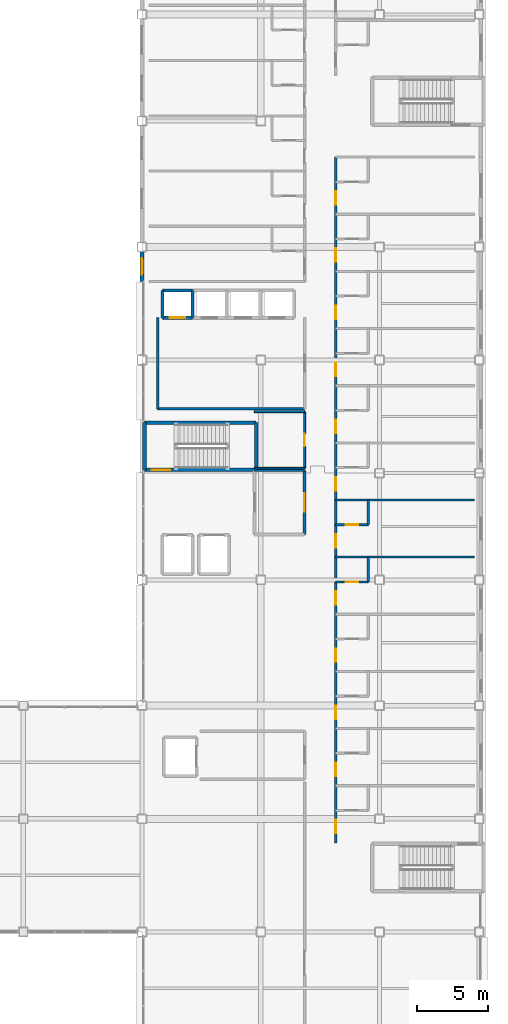
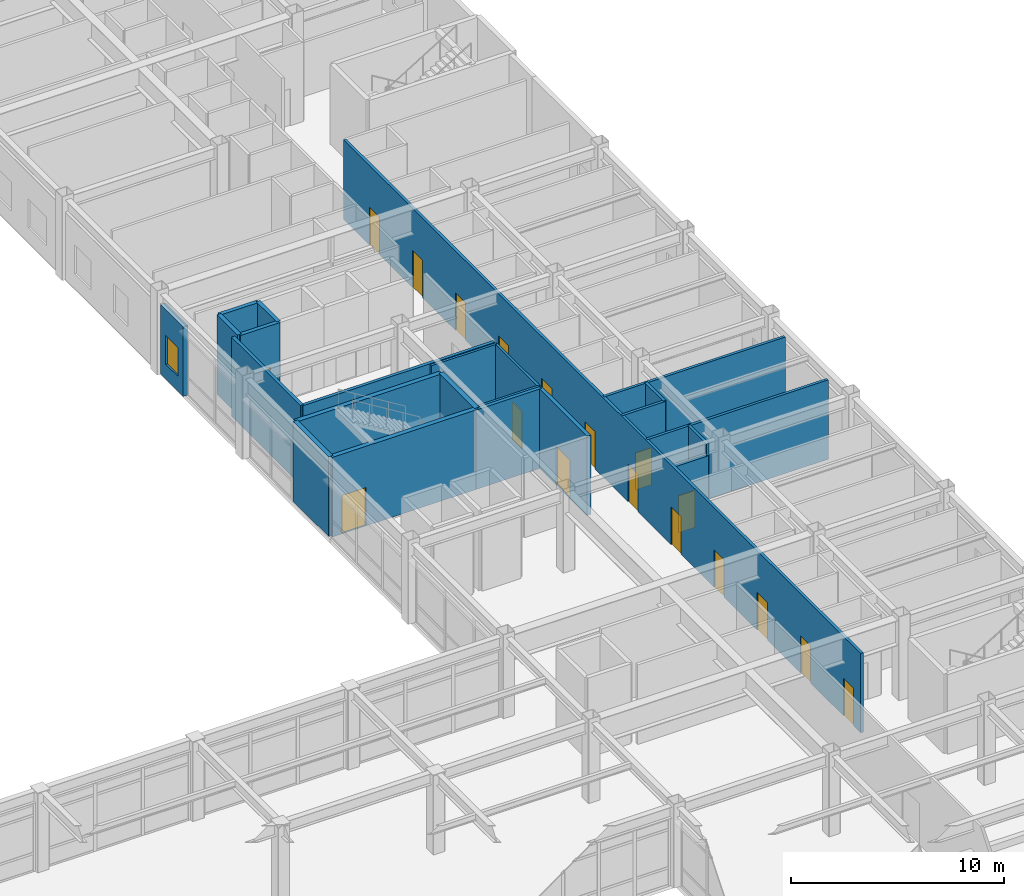
# One storey, part 77 of 93: 23 walls, 18 doors, 1 window, 19 openings.
"""IFC4 building model written with IfcOpenShell, lengths in metres."""

from ifc_helpers import new_model, si_unit, direction, frame, frame_2d, origin, place, context, subcontext, project, spatial, rectangle, extrude, material, layer, layer_set, type_object, element, fill, save


model = new_model("IFC4")

# Units and contexts
model_context = context("Model", 3, precision=1e-05, world=origin(), true_north=direction((0.0, 1.0)))
body_context = subcontext(model_context, "Body", "Model", "MODEL_VIEW")
ifc_project = project(units=[si_unit("LENGTHUNIT", "METRE"), si_unit("AREAUNIT", "SQUARE_METRE"), si_unit("VOLUMEUNIT", "CUBIC_METRE"), si_unit("PLANEANGLEUNIT", "RADIAN"), si_unit("MASSUNIT", "GRAM", prefix="KILO")], contexts=[model_context])

# Site, building, storey
site_placement = place(None, origin())
site = spatial("IfcSite", under=ifc_project, at=site_placement, CompositionType="ELEMENT")
building_placement = place(site_placement, origin())
building = spatial("IfcBuilding", under=site, at=building_placement, Name="Kazehara Bluff Congress Hotel", CompositionType="ELEMENT")
storey_placement = place(building_placement, frame((0.0, 0.0, 15.0)))
storey = spatial("IfcBuildingStorey", under=building, at=storey_placement, Name="L03", CompositionType="ELEMENT", Elevation=15.0)

# Walls
ifc_material_1 = material(Name="Concrete C40/50", Category="concrete")
ifc_layer_1 = layer(ifc_material_1, 0.25)
ifc_layer_set_1 = layer_set([ifc_layer_1], Name="Concrete C40/50")
wall_type_1 = type_object("IfcWallType", Name="TP-CW-RC", PredefinedType="SHEAR", material=ifc_layer_set_1)
for number, where, z_axis, x_axis, name in (
    (1, (143.875, 48.675048828125, 0.0), (0.0, 0.0, 1.0), (0.0, 1.0, 0.0), "L03 ST-11 core wall near"),
    (2, (151.77490234375, 52.02490234375, 0.0), (0.0, 0.0, 1.0), (0.0, -1.0, 0.0), "L03 ST-11 core wall far"),
):
    element("IfcWall", number, at=place(storey_placement, frame(where, z_axis=z_axis, x_axis=x_axis)), inside=storey, type_object=wall_type_1, Name=name, PredefinedType="SHEAR", context=body_context, shape_type="SweptSolid", body=[
        extrude(rectangle(XDim=3.349853515625, YDim=0.25, at=frame_2d((1.6748046875, 0.0))), origin(), (0.0, 0.0, 1.0), 4.56005859375),
    ])

# Wall, opening, door
wall_1_placement = place(storey_placement, frame((151.77490234375, 48.675048828125, 0.0), z_axis=(0.0, 0.0, 1.0), x_axis=(-1.0, 0.0, 0.0)))
wall_1 = element("IfcWall", 3, at=wall_1_placement, inside=storey, type_object=wall_type_1, Name="L03 ST-11 core wall left", PredefinedType="SHEAR", context=body_context, shape_type="SweptSolid", body=[
    extrude(rectangle(XDim=7.89990234375, YDim=0.25, at=frame_2d((3.949951171875, 0.0))), origin(), (0.0, 0.0, 1.0), 4.56005859375),
])
opening_1_placement = place(wall_1_placement, frame((6.074951171875, 0.0, 0.0)))
opening_1 = element("IfcOpeningElement", 4, at=opening_1_placement, cuts=wall_1, Name="Opening FD-01", PredefinedType="OPENING", context=body_context, shape_type="SweptSolid", body=[
    extrude(rectangle(XDim=1.300048828125, YDim=2.199951171875, at=frame_2d((0.64990234375, 1.10009765625))), frame((0.0, 0.135009765625, 0.0), z_axis=(0.0, -1.0, 0.0), x_axis=(1.0, 0.0, 0.0)), (0.0, 0.0, 1.0), 0.27001953125),
])
ifc_material_2 = material(Name="Fire-rated painted steel leaf", Category="steel")
door_type_1 = type_object("IfcDoorType", Name="TP-FD-01", OperationType="NOTDEFINED", PredefinedType="DOOR", material=ifc_material_2)
door_1_placement = place(opening_1_placement, origin())
door_1 = element("IfcDoor", 5, at=door_1_placement, inside=storey, type_object=door_type_1, Name="L03 ST-11 fire stair door", OperationType="SINGLE_SWING_RIGHT", OverallHeight=2.199951171875, OverallWidth=1.300048828125, PredefinedType="DOOR", context=body_context, shape_type="SweptSolid", body=[
    extrude(rectangle(XDim=1.300048828125, YDim=2.199951171875, at=frame_2d((0.64990234375, 1.10009765625))), frame((0.0, 0.02490234375, 0.0), z_axis=(0.0, -1.0, 0.0), x_axis=(1.0, 0.0, 0.0)), (0.0, 0.0, 1.0), 0.050048828125),
])
fill(opening_1, door_1)

# Wall
wall_2_placement = place(storey_placement, frame((143.875, 52.02490234375, 0.0), z_axis=(0.0, 0.0, 1.0), x_axis=(1.0, 0.0, 0.0)))
element("IfcWall", 6, at=wall_2_placement, inside=storey, type_object=wall_type_1, Name="L03 ST-11 core wall right", PredefinedType="SHEAR", context=body_context, shape_type="SweptSolid", body=[
    extrude(rectangle(XDim=7.89990234375, YDim=0.25, at=frame_2d((3.949951171875, 0.0))), origin(), (0.0, 0.0, 1.0), 4.56005859375),
])

# Wall, opening, window
ifc_material_3 = material(Name="Precast concrete C40/50", Category="concrete")
ifc_layer_2 = layer(ifc_material_3, 0.260009765625)
ifc_layer_set_2 = layer_set([ifc_layer_2], Name="Precast concrete C40/50")
wall_type_2 = type_object("IfcWallType", Name="TP-EW-260", PredefinedType="SOLIDWALL", material=ifc_layer_set_2)
wall_3_placement = place(storey_placement, frame((143.699951171875, 62.0, 0.0), z_axis=(0.0, 0.0, 1.0), x_axis=(0.0, 1.0, 0.0)))
wall_3 = element("IfcWall", 7, at=wall_3_placement, inside=storey, type_object=wall_type_2, Name="L03 hotel facade panel 17", PredefinedType="SOLIDWALL", context=body_context, shape_type="SweptSolid", body=[
    extrude(rectangle(XDim=2.125, YDim=0.260009765625, at=frame_2d((1.0625, 0.0))), origin(), (0.0, 0.0, 1.0), 3.985107421875),
])
opening_2_placement = place(wall_3_placement, frame((0.489990234375, 0.0, 0.85009765625)))
opening_2 = element("IfcOpeningElement", 8, at=opening_2_placement, cuts=wall_3, Name="Opening WN-03", PredefinedType="OPENING", context=body_context, shape_type="SweptSolid", body=[
    extrude(rectangle(XDim=1.14990234375, YDim=1.64990234375, at=frame_2d((0.574951171875, 0.824951171875))), frame((0.0, 0.139892578125, 0.0), z_axis=(0.0, -1.0, 0.0), x_axis=(1.0, 0.0, 0.0)), (0.0, 0.0, 1.0), 0.280029296875),
])
ifc_material_4 = material(Name="Insulated low-E double glazing", Category="glass")
window_type = type_object("IfcWindowType", Name="TP-WN-03", PartitioningType="SINGLE_PANEL", PredefinedType="WINDOW", material=ifc_material_4)
window_placement = place(opening_2_placement, origin())
window = element("IfcWindow", 9, at=window_placement, inside=storey, type_object=window_type, Name="L03 guestroom window WN-03 18", OverallHeight=1.64990234375, OverallWidth=1.14990234375, PartitioningType="SINGLE_PANEL", PredefinedType="WINDOW", context=body_context, shape_type="SweptSolid", body=[
    extrude(rectangle(XDim=1.14990234375, YDim=1.64990234375, at=frame_2d((0.574951171875, 0.824951171875))), frame((0.0, 0.030029296875, 0.0), z_axis=(0.0, -1.0, 0.0), x_axis=(1.0, 0.0, 0.0)), (0.0, 0.0, 1.0), 0.06005859375),
])
fill(opening_2, window)

# Wall
ifc_material_5 = material(Name="Concrete C40/50", Category="concrete")
ifc_layer_3 = layer(ifc_material_5, 0.199951171875)
ifc_layer_set_3 = layer_set([ifc_layer_3], Name="Concrete C40/50")
wall_type_3 = type_object("IfcWallType", Name="TP-FW-RC", PredefinedType="SOLIDWALL", material=ifc_layer_set_3)
wall_4_placement = place(storey_placement, frame((151.64990234375, 48.64990234375, 0.0), z_axis=(0.0, 0.0, 1.0), x_axis=(1.0, 0.0, 0.0)))
element("IfcWall", 10, at=wall_4_placement, inside=storey, type_object=wall_type_3, Name="L03 partition FW-RC 266", PredefinedType="SOLIDWALL", context=body_context, shape_type="SweptSolid", body=[
    extrude(rectangle(XDim=3.550048828125, YDim=0.199951171875, at=frame_2d((1.77490234375, 0.0))), origin(), (0.0, 0.0, 1.0), 4.544921875),
])

# Wall, opening, door
wall_5_placement = place(storey_placement, frame((155.199951171875, 44.10009765625, 0.0), z_axis=(0.0, 0.0, 1.0), x_axis=(0.0, 1.0, 0.0)))
wall_5 = element("IfcWall", 11, at=wall_5_placement, inside=storey, type_object=wall_type_3, Name="L03 partition FW-RC 345", PredefinedType="SOLIDWALL", context=body_context, shape_type="SweptSolid", body=[
    extrude(rectangle(XDim=4.5498046875, YDim=0.199951171875, at=frame_2d((2.27490234375, 0.0))), origin(), (0.0, 0.0, 1.0), 4.544921875),
])
opening_3_placement = place(wall_5_placement, frame((1.625, 0.0, 0.0)))
opening_3 = element("IfcOpeningElement", 12, at=opening_3_placement, cuts=wall_5, Name="Opening FD-01", PredefinedType="OPENING", context=body_context, shape_type="SweptSolid", body=[
    extrude(rectangle(XDim=1.300048828125, YDim=2.199951171875, at=frame_2d((0.64990234375, 1.10009765625))), frame((0.0, 0.10986328125, 0.0), z_axis=(0.0, -1.0, 0.0), x_axis=(1.0, 0.0, 0.0)), (0.0, 0.0, 1.0), 0.219970703125),
])
door_2_placement = place(opening_3_placement, origin())
door_2 = element("IfcDoor", 13, at=door_2_placement, inside=storey, type_object=door_type_1, Name="L03 Smoke Vestibule Lobby door", OperationType="SINGLE_SWING_LEFT", OverallHeight=2.199951171875, OverallWidth=1.300048828125, PredefinedType="DOOR", context=body_context, shape_type="SweptSolid", body=[
    extrude(rectangle(XDim=1.300048828125, YDim=2.199951171875, at=frame_2d((0.64990234375, 1.10009765625))), frame((0.0, 0.02490234375, 0.0), z_axis=(0.0, -1.0, 0.0), x_axis=(1.0, 0.0, 0.0)), (0.0, 0.0, 1.0), 0.050048828125),
])
fill(opening_3, door_2)

# Walls
ifc_material_6 = material(Name="Fire-rated gypsum board stud partition")
ifc_layer_4 = layer(ifc_material_6, 0.1298828125)
ifc_layer_set_4 = layer_set([ifc_layer_4], Name="Fire-rated gypsum board stud partition")
wall_type_4 = type_object("IfcWallType", Name="TP-PT-130", PredefinedType="PARTITIONING", material=ifc_layer_set_4)
for number, where, z_axis, x_axis, name in (
    (14, (151.64990234375, 48.800048828125, 0.0), (0.0, 0.0, 1.0), (1.0, 0.0, 0.0), "L03 partition PT-130 267"),
    (15, (151.64990234375, 52.800048828125, 0.0), (0.0, 0.0, 1.0), (1.0, 0.0, 0.0), "L03 partition PT-130 270"),
):
    element("IfcWall", number, at=place(storey_placement, frame(where, z_axis=z_axis, x_axis=x_axis)), inside=storey, type_object=wall_type_4, Name=name, PredefinedType="PARTITIONING", context=body_context, shape_type="SweptSolid", body=[
        extrude(rectangle(XDim=3.550048828125, YDim=0.1298828125, at=frame_2d((1.77490234375, 0.0))), origin(), (0.0, 0.0, 1.0), 4.544921875),
    ])

# Wall, opening, door
wall_6_placement = place(storey_placement, frame((155.199951171875, 48.800048828125, 0.0), z_axis=(0.0, 0.0, 1.0), x_axis=(0.0, 1.0, 0.0)))
wall_6 = element("IfcWall", 16, at=wall_6_placement, inside=storey, type_object=wall_type_4, Name="L03 partition PT-130 346", PredefinedType="PARTITIONING", context=body_context, shape_type="SweptSolid", body=[
    extrude(rectangle(XDim=4.0, YDim=0.1298828125, at=frame_2d((2.0, 0.0))), origin(), (0.0, 0.0, 1.0), 4.544921875),
])
opening_4_placement = place(wall_6_placement, frame((1.550048828125, 0.0, 0.0)))
opening_4 = element("IfcOpeningElement", 17, at=opening_4_placement, cuts=wall_6, Name="Opening ID-01", PredefinedType="OPENING", context=body_context, shape_type="SweptSolid", body=[
    extrude(rectangle(XDim=0.89990234375, YDim=2.14990234375, at=frame_2d((0.449951171875, 1.074951171875))), frame((0.0, 0.074951171875, 0.0), z_axis=(0.0, -1.0, 0.0), x_axis=(1.0, 0.0, 0.0)), (0.0, 0.0, 1.0), 0.14990234375),
])
ifc_material_7 = material(Name="Architectural oak veneer leaf")
door_type_2 = type_object("IfcDoorType", Name="TP-ID-01", OperationType="NOTDEFINED", PredefinedType="DOOR", material=ifc_material_7)
door_3_placement = place(opening_4_placement, origin())
door_3 = element("IfcDoor", 18, at=door_3_placement, inside=storey, type_object=door_type_2, Name="L03 L03 Housekeeping and Linen Room door", OperationType="SINGLE_SWING_LEFT", OverallHeight=2.14990234375, OverallWidth=0.89990234375, PredefinedType="DOOR", context=body_context, shape_type="SweptSolid", body=[
    extrude(rectangle(XDim=0.89990234375, YDim=2.14990234375, at=frame_2d((0.449951171875, 1.074951171875))), frame((0.0, 0.02490234375, 0.0), z_axis=(0.0, -1.0, 0.0), x_axis=(1.0, 0.0, 0.0)), (0.0, 0.0, 1.0), 0.050048828125),
])
fill(opening_4, door_3)

ifc_material_8 = material(Name="Fire-rated gypsum board stud partition")
ifc_layer_5 = layer(ifc_material_8, 0.14990234375)
ifc_layer_set_5 = layer_set([ifc_layer_5], Name="Fire-rated gypsum board stud partition")
wall_type_5 = type_object("IfcWallType", Name="TP-PT-150", PredefinedType="PARTITIONING", material=ifc_layer_set_5)
wall_7_placement = place(storey_placement, frame((157.39990234375, 40.760009765625, 0.0), z_axis=(0.0, 0.0, 1.0), x_axis=(1.0, 0.0, 0.0)))
wall_7 = element("IfcWall", 19, at=wall_7_placement, inside=storey, type_object=wall_type_5, Name="L03 partition PT-150 260", PredefinedType="PARTITIONING", context=body_context, shape_type="SweptSolid", body=[
    extrude(rectangle(XDim=2.300048828125, YDim=0.14990234375, at=frame_2d((1.14990234375, 0.0))), origin(), (0.0, 0.0, 1.0), 3.885009765625),
])
opening_5_placement = place(wall_7_placement, frame((0.7099609375, 0.0, 0.0)))
opening_5 = element("IfcOpeningElement", 20, at=opening_5_placement, cuts=wall_7, Name="Opening BD-02", PredefinedType="OPENING", context=body_context, shape_type="SweptSolid", body=[
    extrude(rectangle(XDim=0.8798828125, YDim=2.1201171875, at=frame_2d((0.43994140625, 1.06005859375))), frame((0.0, 0.0849609375, 0.0), z_axis=(0.0, -1.0, 0.0), x_axis=(1.0, 0.0, 0.0)), (0.0, 0.0, 1.0), 0.169921875),
])
ifc_material_9 = material(Name="Architectural oak veneer leaf")
door_type_3 = type_object("IfcDoorType", Name="TP-BD-02", OperationType="NOTDEFINED", PredefinedType="DOOR", material=ifc_material_9)
door_4_placement = place(opening_5_placement, origin())
door_4 = element("IfcDoor", 21, at=door_4_placement, inside=storey, type_object=door_type_3, Name="L03 En-suite Bathroom 18 door", OperationType="SINGLE_SWING_LEFT", OverallHeight=2.1201171875, OverallWidth=0.8798828125, PredefinedType="DOOR", context=body_context, shape_type="SweptSolid", body=[
    extrude(rectangle(XDim=0.8798828125, YDim=2.1201171875, at=frame_2d((0.43994140625, 1.06005859375))), frame((0.0, 0.02490234375, 0.0), z_axis=(0.0, -1.0, 0.0), x_axis=(1.0, 0.0, 0.0)), (0.0, 0.0, 1.0), 0.050048828125),
])
fill(opening_5, door_4)

# Wall
wall_8_placement = place(storey_placement, frame((157.39990234375, 42.510009765625, 0.0), z_axis=(0.0, 0.0, 1.0), x_axis=(1.0, 0.0, 0.0)))
element("IfcWall", 22, at=wall_8_placement, inside=storey, type_object=wall_type_5, Name="L03 partition PT-150 261", PredefinedType="PARTITIONING", context=body_context, shape_type="SweptSolid", body=[
    extrude(rectangle(XDim=9.800048828125, YDim=0.14990234375, at=frame_2d((4.89990234375, 0.0))), origin(), (0.0, 0.0, 1.0), 4.544921875),
])

# Wall, opening, door
wall_9_placement = place(storey_placement, frame((157.39990234375, 44.800048828125, 0.0), z_axis=(0.0, 0.0, 1.0), x_axis=(1.0, 0.0, 0.0)))
wall_9 = element("IfcWall", 23, at=wall_9_placement, inside=storey, type_object=wall_type_5, Name="L03 partition PT-150 263", PredefinedType="PARTITIONING", context=body_context, shape_type="SweptSolid", body=[
    extrude(rectangle(XDim=2.300048828125, YDim=0.14990234375, at=frame_2d((1.14990234375, 0.0))), origin(), (0.0, 0.0, 1.0), 4.544921875),
])
opening_6_placement = place(wall_9_placement, frame((0.7099609375, 0.0, 0.0)))
opening_6 = element("IfcOpeningElement", 24, at=opening_6_placement, cuts=wall_9, Name="Opening BD-02", PredefinedType="OPENING", context=body_context, shape_type="SweptSolid", body=[
    extrude(rectangle(XDim=0.8798828125, YDim=2.1201171875, at=frame_2d((0.43994140625, 1.06005859375))), frame((0.0, 0.0849609375, 0.0), z_axis=(0.0, -1.0, 0.0), x_axis=(1.0, 0.0, 0.0)), (0.0, 0.0, 1.0), 0.169921875),
])
door_5_placement = place(opening_6_placement, origin())
door_5 = element("IfcDoor", 25, at=door_5_placement, inside=storey, type_object=door_type_3, Name="L03 En-suite Bathroom 19 door", OperationType="SINGLE_SWING_LEFT", OverallHeight=2.1201171875, OverallWidth=0.8798828125, PredefinedType="DOOR", context=body_context, shape_type="SweptSolid", body=[
    extrude(rectangle(XDim=0.8798828125, YDim=2.1201171875, at=frame_2d((0.43994140625, 1.06005859375))), frame((0.0, 0.02490234375, 0.0), z_axis=(0.0, -1.0, 0.0), x_axis=(1.0, 0.0, 0.0)), (0.0, 0.0, 1.0), 0.050048828125),
])
fill(opening_6, door_5)

# Wall
wall_10_placement = place(storey_placement, frame((157.39990234375, 46.550048828125, 0.0), z_axis=(0.0, 0.0, 1.0), x_axis=(1.0, 0.0, 0.0)))
element("IfcWall", 26, at=wall_10_placement, inside=storey, type_object=wall_type_5, Name="L03 partition PT-150 265", PredefinedType="PARTITIONING", context=body_context, shape_type="SweptSolid", body=[
    extrude(rectangle(XDim=9.800048828125, YDim=0.14990234375, at=frame_2d((4.89990234375, 0.0))), origin(), (0.0, 0.0, 1.0), 4.544921875),
])

# Wall, openings, doors
wall_11_placement = place(storey_placement, frame((157.39990234375, 22.300048828125, 0.0), z_axis=(0.0, 0.0, 1.0), x_axis=(0.0, 1.0, 0.0)))
wall_11 = element("IfcWall", 27, at=wall_11_placement, inside=storey, type_object=wall_type_5, Name="L03 partition PT-150 349", PredefinedType="PARTITIONING", context=body_context, shape_type="SweptSolid", body=[
    extrude(rectangle(XDim=48.5, YDim=0.14990234375, at=frame_2d((24.25, 0.0))), origin(), (0.0, 0.0, 1.0), 4.544921875),
])
opening_7_placement = place(wall_11_placement, frame((0.669921875, 0.0, 0.0)))
opening_7 = element("IfcOpeningElement", 28, at=opening_7_placement, cuts=wall_11, Name="Opening GD-01", PredefinedType="OPENING", context=body_context, shape_type="SweptSolid", body=[
    extrude(rectangle(XDim=0.949951171875, YDim=2.14990234375, at=frame_2d((0.47509765625, 1.074951171875))), frame((0.0, 0.0849609375, 0.0), z_axis=(0.0, -1.0, 0.0), x_axis=(1.0, 0.0, 0.0)), (0.0, 0.0, 1.0), 0.169921875),
])
opening_8_placement = place(wall_11_placement, frame((4.7099609375, 0.0, 0.0)))
opening_8 = element("IfcOpeningElement", 29, at=opening_8_placement, cuts=wall_11, Name="Opening GD-01", PredefinedType="OPENING", context=body_context, shape_type="SweptSolid", body=[
    extrude(rectangle(XDim=0.949951171875, YDim=2.14990234375, at=frame_2d((0.47509765625, 1.074951171875))), frame((0.0, 0.0849609375, 0.0), z_axis=(0.0, -1.0, 0.0), x_axis=(1.0, 0.0, 0.0)), (0.0, 0.0, 1.0), 0.169921875),
])
opening_9_placement = place(wall_11_placement, frame((8.7548828125, 0.0, 0.0)))
opening_9 = element("IfcOpeningElement", 30, at=opening_9_placement, cuts=wall_11, Name="Opening GD-01", PredefinedType="OPENING", context=body_context, shape_type="SweptSolid", body=[
    extrude(rectangle(XDim=0.949951171875, YDim=2.14990234375, at=frame_2d((0.47509765625, 1.074951171875))), frame((0.0, 0.0849609375, 0.0), z_axis=(0.0, -1.0, 0.0), x_axis=(1.0, 0.0, 0.0)), (0.0, 0.0, 1.0), 0.169921875),
])
opening_10_placement = place(wall_11_placement, frame((12.794921875, 0.0, 0.0)))
opening_10 = element("IfcOpeningElement", 31, at=opening_10_placement, cuts=wall_11, Name="Opening GD-01", PredefinedType="OPENING", context=body_context, shape_type="SweptSolid", body=[
    extrude(rectangle(XDim=0.949951171875, YDim=2.14990234375, at=frame_2d((0.47509765625, 1.074951171875))), frame((0.0, 0.0849609375, 0.0), z_axis=(0.0, -1.0, 0.0), x_axis=(1.0, 0.0, 0.0)), (0.0, 0.0, 1.0), 0.169921875),
])
opening_11_placement = place(wall_11_placement, frame((16.8349609375, 0.0, 0.0)))
opening_11 = element("IfcOpeningElement", 32, at=opening_11_placement, cuts=wall_11, Name="Opening GD-01", PredefinedType="OPENING", context=body_context, shape_type="SweptSolid", body=[
    extrude(rectangle(XDim=0.949951171875, YDim=2.14990234375, at=frame_2d((0.47509765625, 1.074951171875))), frame((0.0, 0.0849609375, 0.0), z_axis=(0.0, -1.0, 0.0), x_axis=(1.0, 0.0, 0.0)), (0.0, 0.0, 1.0), 0.169921875),
])
opening_12_placement = place(wall_11_placement, frame((20.8798828125, 0.0, 0.0)))
opening_12 = element("IfcOpeningElement", 33, at=opening_12_placement, cuts=wall_11, Name="Opening GD-01", PredefinedType="OPENING", context=body_context, shape_type="SweptSolid", body=[
    extrude(rectangle(XDim=0.949951171875, YDim=2.14990234375, at=frame_2d((0.47509765625, 1.074951171875))), frame((0.0, 0.0849609375, 0.0), z_axis=(0.0, -1.0, 0.0), x_axis=(1.0, 0.0, 0.0)), (0.0, 0.0, 1.0), 0.169921875),
])
opening_13_placement = place(wall_11_placement, frame((24.919921875, 0.0, 0.0)))
opening_13 = element("IfcOpeningElement", 34, at=opening_13_placement, cuts=wall_11, Name="Opening GD-01", PredefinedType="OPENING", context=body_context, shape_type="SweptSolid", body=[
    extrude(rectangle(XDim=0.949951171875, YDim=2.14990234375, at=frame_2d((0.47509765625, 1.074951171875))), frame((0.0, 0.0849609375, 0.0), z_axis=(0.0, -1.0, 0.0), x_axis=(1.0, 0.0, 0.0)), (0.0, 0.0, 1.0), 0.169921875),
])
opening_14_placement = place(wall_11_placement, frame((28.9599609375, 0.0, 0.0)))
opening_14 = element("IfcOpeningElement", 35, at=opening_14_placement, cuts=wall_11, Name="Opening GD-01", PredefinedType="OPENING", context=body_context, shape_type="SweptSolid", body=[
    extrude(rectangle(XDim=0.949951171875, YDim=2.14990234375, at=frame_2d((0.47509765625, 1.074951171875))), frame((0.0, 0.0849609375, 0.0), z_axis=(0.0, -1.0, 0.0), x_axis=(1.0, 0.0, 0.0)), (0.0, 0.0, 1.0), 0.169921875),
])
opening_15_placement = place(wall_11_placement, frame((33.0048828125, 0.0, 0.0)))
opening_15 = element("IfcOpeningElement", 36, at=opening_15_placement, cuts=wall_11, Name="Opening GD-01", PredefinedType="OPENING", context=body_context, shape_type="SweptSolid", body=[
    extrude(rectangle(XDim=0.949951171875, YDim=2.14990234375, at=frame_2d((0.47509765625, 1.074951171875))), frame((0.0, 0.0849609375, 0.0), z_axis=(0.0, -1.0, 0.0), x_axis=(1.0, 0.0, 0.0)), (0.0, 0.0, 1.0), 0.169921875),
])
opening_16_placement = place(wall_11_placement, frame((37.044921875, 0.0, 0.0)))
opening_16 = element("IfcOpeningElement", 37, at=opening_16_placement, cuts=wall_11, Name="Opening GD-01", PredefinedType="OPENING", context=body_context, shape_type="SweptSolid", body=[
    extrude(rectangle(XDim=0.949951171875, YDim=2.14990234375, at=frame_2d((0.47509765625, 1.074951171875))), frame((0.0, 0.0849609375, 0.0), z_axis=(0.0, -1.0, 0.0), x_axis=(1.0, 0.0, 0.0)), (0.0, 0.0, 1.0), 0.169921875),
])
opening_17_placement = place(wall_11_placement, frame((41.090087890625, 0.0, 0.0)))
opening_17 = element("IfcOpeningElement", 38, at=opening_17_placement, cuts=wall_11, Name="Opening GD-01", PredefinedType="OPENING", context=body_context, shape_type="SweptSolid", body=[
    extrude(rectangle(XDim=0.949951171875, YDim=2.14990234375, at=frame_2d((0.47509765625, 1.074951171875))), frame((0.0, 0.0849609375, 0.0), z_axis=(0.0, -1.0, 0.0), x_axis=(1.0, 0.0, 0.0)), (0.0, 0.0, 1.0), 0.169921875),
])
opening_18_placement = place(wall_11_placement, frame((45.1298828125, 0.0, 0.0)))
opening_18 = element("IfcOpeningElement", 39, at=opening_18_placement, cuts=wall_11, Name="Opening GD-01", PredefinedType="OPENING", context=body_context, shape_type="SweptSolid", body=[
    extrude(rectangle(XDim=0.949951171875, YDim=2.14990234375, at=frame_2d((0.47509765625, 1.074951171875))), frame((0.0, 0.0849609375, 0.0), z_axis=(0.0, -1.0, 0.0), x_axis=(1.0, 0.0, 0.0)), (0.0, 0.0, 1.0), 0.169921875),
])
ifc_material_10 = material(Name="Architectural oak veneer leaf")
door_type_4 = type_object("IfcDoorType", Name="TP-GD-01", OperationType="NOTDEFINED", PredefinedType="DOOR", material=ifc_material_10)
door_6_placement = place(opening_7_placement, origin())
door_6 = element("IfcDoor", 40, at=door_6_placement, inside=storey, type_object=door_type_4, Name="L03 Deluxe Twin Guest Room 14 door", OperationType="SINGLE_SWING_RIGHT", OverallHeight=2.14990234375, OverallWidth=0.949951171875, PredefinedType="DOOR", context=body_context, shape_type="SweptSolid", body=[
    extrude(rectangle(XDim=0.949951171875, YDim=2.14990234375, at=frame_2d((0.47509765625, 1.074951171875))), frame((0.0, 0.02490234375, 0.0), z_axis=(0.0, -1.0, 0.0), x_axis=(1.0, 0.0, 0.0)), (0.0, 0.0, 1.0), 0.050048828125),
])
fill(opening_7, door_6)
door_7_placement = place(opening_8_placement, origin())
door_7 = element("IfcDoor", 41, at=door_7_placement, inside=storey, type_object=door_type_4, Name="L03 Standard King Guest Room 15 door", OperationType="SINGLE_SWING_RIGHT", OverallHeight=2.14990234375, OverallWidth=0.949951171875, PredefinedType="DOOR", context=body_context, shape_type="SweptSolid", body=[
    extrude(rectangle(XDim=0.949951171875, YDim=2.14990234375, at=frame_2d((0.47509765625, 1.074951171875))), frame((0.0, 0.02490234375, 0.0), z_axis=(0.0, -1.0, 0.0), x_axis=(1.0, 0.0, 0.0)), (0.0, 0.0, 1.0), 0.050048828125),
])
fill(opening_8, door_7)
door_8_placement = place(opening_9_placement, origin())
door_8 = element("IfcDoor", 42, at=door_8_placement, inside=storey, type_object=door_type_4, Name="L03 Deluxe Twin Guest Room 16 door", OperationType="SINGLE_SWING_RIGHT", OverallHeight=2.14990234375, OverallWidth=0.949951171875, PredefinedType="DOOR", context=body_context, shape_type="SweptSolid", body=[
    extrude(rectangle(XDim=0.949951171875, YDim=2.14990234375, at=frame_2d((0.47509765625, 1.074951171875))), frame((0.0, 0.02490234375, 0.0), z_axis=(0.0, -1.0, 0.0), x_axis=(1.0, 0.0, 0.0)), (0.0, 0.0, 1.0), 0.050048828125),
])
fill(opening_9, door_8)
door_9_placement = place(opening_10_placement, origin())
door_9 = element("IfcDoor", 43, at=door_9_placement, inside=storey, type_object=door_type_4, Name="L03 Standard King Guest Room 17 door", OperationType="SINGLE_SWING_RIGHT", OverallHeight=2.14990234375, OverallWidth=0.949951171875, PredefinedType="DOOR", context=body_context, shape_type="SweptSolid", body=[
    extrude(rectangle(XDim=0.949951171875, YDim=2.14990234375, at=frame_2d((0.47509765625, 1.074951171875))), frame((0.0, 0.02490234375, 0.0), z_axis=(0.0, -1.0, 0.0), x_axis=(1.0, 0.0, 0.0)), (0.0, 0.0, 1.0), 0.050048828125),
])
fill(opening_10, door_9)
door_10_placement = place(opening_11_placement, origin())
door_10 = element("IfcDoor", 44, at=door_10_placement, inside=storey, type_object=door_type_4, Name="L03 Deluxe Twin Guest Room 18 door", OperationType="SINGLE_SWING_RIGHT", OverallHeight=2.14990234375, OverallWidth=0.949951171875, PredefinedType="DOOR", context=body_context, shape_type="SweptSolid", body=[
    extrude(rectangle(XDim=0.949951171875, YDim=2.14990234375, at=frame_2d((0.47509765625, 1.074951171875))), frame((0.0, 0.02490234375, 0.0), z_axis=(0.0, -1.0, 0.0), x_axis=(1.0, 0.0, 0.0)), (0.0, 0.0, 1.0), 0.050048828125),
])
fill(opening_11, door_10)
door_11_placement = place(opening_12_placement, origin())
door_11 = element("IfcDoor", 45, at=door_11_placement, inside=storey, type_object=door_type_4, Name="L03 Standard King Guest Room 19 door", OperationType="SINGLE_SWING_RIGHT", OverallHeight=2.14990234375, OverallWidth=0.949951171875, PredefinedType="DOOR", context=body_context, shape_type="SweptSolid", body=[
    extrude(rectangle(XDim=0.949951171875, YDim=2.14990234375, at=frame_2d((0.47509765625, 1.074951171875))), frame((0.0, 0.02490234375, 0.0), z_axis=(0.0, -1.0, 0.0), x_axis=(1.0, 0.0, 0.0)), (0.0, 0.0, 1.0), 0.050048828125),
])
fill(opening_12, door_11)
door_12_placement = place(opening_13_placement, origin())
door_12 = element("IfcDoor", 46, at=door_12_placement, inside=storey, type_object=door_type_4, Name="L03 Deluxe Twin Guest Room 20 door", OperationType="SINGLE_SWING_RIGHT", OverallHeight=2.14990234375, OverallWidth=0.949951171875, PredefinedType="DOOR", context=body_context, shape_type="SweptSolid", body=[
    extrude(rectangle(XDim=0.949951171875, YDim=2.14990234375, at=frame_2d((0.47509765625, 1.074951171875))), frame((0.0, 0.02490234375, 0.0), z_axis=(0.0, -1.0, 0.0), x_axis=(1.0, 0.0, 0.0)), (0.0, 0.0, 1.0), 0.050048828125),
])
fill(opening_13, door_12)
door_13_placement = place(opening_14_placement, origin())
door_13 = element("IfcDoor", 47, at=door_13_placement, inside=storey, type_object=door_type_4, Name="L03 Standard King Guest Room 21 door", OperationType="SINGLE_SWING_RIGHT", OverallHeight=2.14990234375, OverallWidth=0.949951171875, PredefinedType="DOOR", context=body_context, shape_type="SweptSolid", body=[
    extrude(rectangle(XDim=0.949951171875, YDim=2.14990234375, at=frame_2d((0.47509765625, 1.074951171875))), frame((0.0, 0.02490234375, 0.0), z_axis=(0.0, -1.0, 0.0), x_axis=(1.0, 0.0, 0.0)), (0.0, 0.0, 1.0), 0.050048828125),
])
fill(opening_14, door_13)
door_14_placement = place(opening_15_placement, origin())
door_14 = element("IfcDoor", 48, at=door_14_placement, inside=storey, type_object=door_type_4, Name="L03 Deluxe Twin Guest Room 22 door", OperationType="SINGLE_SWING_RIGHT", OverallHeight=2.14990234375, OverallWidth=0.949951171875, PredefinedType="DOOR", context=body_context, shape_type="SweptSolid", body=[
    extrude(rectangle(XDim=0.949951171875, YDim=2.14990234375, at=frame_2d((0.47509765625, 1.074951171875))), frame((0.0, 0.02490234375, 0.0), z_axis=(0.0, -1.0, 0.0), x_axis=(1.0, 0.0, 0.0)), (0.0, 0.0, 1.0), 0.050048828125),
])
fill(opening_15, door_14)
door_15_placement = place(opening_16_placement, origin())
door_15 = element("IfcDoor", 49, at=door_15_placement, inside=storey, type_object=door_type_4, Name="L03 Standard King Guest Room 23 door", OperationType="SINGLE_SWING_RIGHT", OverallHeight=2.14990234375, OverallWidth=0.949951171875, PredefinedType="DOOR", context=body_context, shape_type="SweptSolid", body=[
    extrude(rectangle(XDim=0.949951171875, YDim=2.14990234375, at=frame_2d((0.47509765625, 1.074951171875))), frame((0.0, 0.02490234375, 0.0), z_axis=(0.0, -1.0, 0.0), x_axis=(1.0, 0.0, 0.0)), (0.0, 0.0, 1.0), 0.050048828125),
])
fill(opening_16, door_15)
door_16_placement = place(opening_17_placement, origin())
door_16 = element("IfcDoor", 50, at=door_16_placement, inside=storey, type_object=door_type_4, Name="L03 Deluxe Twin Guest Room 24 door", OperationType="SINGLE_SWING_RIGHT", OverallHeight=2.14990234375, OverallWidth=0.949951171875, PredefinedType="DOOR", context=body_context, shape_type="SweptSolid", body=[
    extrude(rectangle(XDim=0.949951171875, YDim=2.14990234375, at=frame_2d((0.47509765625, 1.074951171875))), frame((0.0, 0.02490234375, 0.0), z_axis=(0.0, -1.0, 0.0), x_axis=(1.0, 0.0, 0.0)), (0.0, 0.0, 1.0), 0.050048828125),
])
fill(opening_17, door_16)
door_17_placement = place(opening_18_placement, origin())
door_17 = element("IfcDoor", 51, at=door_17_placement, inside=storey, type_object=door_type_4, Name="L03 Standard King Guest Room 25 door", OperationType="SINGLE_SWING_RIGHT", OverallHeight=2.14990234375, OverallWidth=0.949951171875, PredefinedType="DOOR", context=body_context, shape_type="SweptSolid", body=[
    extrude(rectangle(XDim=0.949951171875, YDim=2.14990234375, at=frame_2d((0.47509765625, 1.074951171875))), frame((0.0, 0.02490234375, 0.0), z_axis=(0.0, -1.0, 0.0), x_axis=(1.0, 0.0, 0.0)), (0.0, 0.0, 1.0), 0.050048828125),
])
fill(opening_18, door_17)

# Walls
for number, where, z_axis, x_axis, name in (
    (52, (159.699951171875, 40.760009765625, 0.0), (0.0, 0.0, 1.0), (0.0, 1.0, 0.0), "L03 partition PT-150 355"),
    (53, (159.699951171875, 44.800048828125, 0.0), (0.0, 0.0, 1.0), (0.0, 1.0, 0.0), "L03 partition PT-150 356"),
):
    element("IfcWall", number, at=place(storey_placement, frame(where, z_axis=z_axis, x_axis=x_axis)), inside=storey, type_object=wall_type_5, Name=name, PredefinedType="PARTITIONING", context=body_context, shape_type="SweptSolid", body=[
        extrude(rectangle(XDim=1.75, YDim=0.14990234375, at=frame_2d((0.875, 0.0))), origin(), (0.0, 0.0, 1.0), 4.544921875),
    ])
ifc_material_11 = material(Name="Fire-rated gypsum board stud partition")
ifc_layer_6 = layer(ifc_material_11, 0.169921875)
ifc_layer_set_6 = layer_set([ifc_layer_6], Name="Fire-rated gypsum board stud partition")
wall_type_6 = type_object("IfcWallType", Name="TP-PT-180", PredefinedType="PARTITIONING", material=ifc_layer_set_6)
wall_12_placement = place(storey_placement, frame((144.800048828125, 53.0, 0.0), z_axis=(0.0, 0.0, 1.0), x_axis=(1.0, 0.0, 0.0)))
element("IfcWall", 54, at=wall_12_placement, inside=storey, type_object=wall_type_6, Name="L03 partition PT-180 272", PredefinedType="PARTITIONING", context=body_context, shape_type="SweptSolid", body=[
    extrude(rectangle(XDim=10.39990234375, YDim=0.169921875, at=frame_2d((5.199951171875, 0.0))), origin(), (0.0, 0.0, 1.0), 4.544921875),
])
wall_13_placement = place(storey_placement, frame((144.800048828125, 53.0, 0.0), z_axis=(0.0, 0.0, 1.0), x_axis=(0.0, 1.0, 0.0)))
element("IfcWall", 55, at=wall_13_placement, inside=storey, type_object=wall_type_6, Name="L03 partition PT-180 328", PredefinedType="PARTITIONING", context=body_context, shape_type="SweptSolid", body=[
    extrude(rectangle(XDim=6.449951171875, YDim=0.169921875, at=frame_2d((3.22509765625, 0.0))), origin(), (0.0, 0.0, 1.0), 4.544921875),
])
ifc_material_12 = material(Name="Concrete C40/50", Category="concrete")
ifc_layer_7 = layer(ifc_material_12, 0.219970703125)
ifc_layer_set_7 = layer_set([ifc_layer_7], Name="Concrete C40/50")
wall_type_7 = type_object("IfcWallType", Name="TP-SW-RC", PredefinedType="SHEAR", material=ifc_layer_set_7)
wall_14_placement = place(storey_placement, frame((145.139892578125, 61.360107421875, 0.0), z_axis=(0.0, 0.0, 1.0), x_axis=(1.0, 0.0, 0.0)))
element("IfcWall", 56, at=wall_14_placement, inside=storey, type_object=wall_type_7, Name="L03 EL-P1 lift shaft wall +Y", PredefinedType="SHEAR", context=body_context, shape_type="SweptSolid", body=[
    extrude(rectangle(XDim=2.1201171875, YDim=0.219970703125, at=frame_2d((1.06005859375, 0.0))), origin(), (0.0, 0.0, 1.0), 4.56005859375),
])

# Wall, opening, door
wall_15_placement = place(storey_placement, frame((145.139892578125, 59.43994140625, 0.0), z_axis=(0.0, 0.0, 1.0), x_axis=(1.0, 0.0, 0.0)))
wall_15 = element("IfcWall", 57, at=wall_15_placement, inside=storey, type_object=wall_type_7, Name="L03 EL-P1 lift shaft wall -Y", PredefinedType="SHEAR", context=body_context, shape_type="SweptSolid", body=[
    extrude(rectangle(XDim=2.1201171875, YDim=0.219970703125, at=frame_2d((1.06005859375, 0.0))), origin(), (0.0, 0.0, 1.0), 4.56005859375),
])
opening_19_placement = place(wall_15_placement, frame((0.510009765625, 0.0, 0.0)))
opening_19 = element("IfcOpeningElement", 58, at=opening_19_placement, cuts=wall_15, Name="Opening LD-01", PredefinedType="OPENING", context=body_context, shape_type="SweptSolid", body=[
    extrude(rectangle(XDim=1.10009765625, YDim=2.199951171875, at=frame_2d((0.550048828125, 1.10009765625))), frame((0.0, 0.119873046875, 0.0), z_axis=(0.0, -1.0, 0.0), x_axis=(1.0, 0.0, 0.0)), (0.0, 0.0, 1.0), 0.239990234375),
])
ifc_material_13 = material(Name="Fire-rated painted steel leaf", Category="steel")
door_type_5 = type_object("IfcDoorType", Name="TP-LD-01", OperationType="SLIDING_TO_LEFT", PredefinedType="DOOR", material=ifc_material_13)
door_18_placement = place(opening_19_placement, origin())
door_18 = element("IfcDoor", 59, at=door_18_placement, inside=storey, type_object=door_type_5, Name="L03 EL-P1 elevator landing door", OperationType="SLIDING_TO_LEFT", OverallHeight=2.199951171875, OverallWidth=1.10009765625, PredefinedType="DOOR", context=body_context, shape_type="SweptSolid", body=[
    extrude(rectangle(XDim=1.10009765625, YDim=2.199951171875, at=frame_2d((0.550048828125, 1.10009765625))), frame((0.0, 0.02490234375, 0.0), z_axis=(0.0, -1.0, 0.0), x_axis=(1.0, 0.0, 0.0)), (0.0, 0.0, 1.0), 0.050048828125),
])
fill(opening_19, door_18)

# Walls
for number, where, z_axis, x_axis, name in (
    (60, (147.260009765625, 59.43994140625, 0.0), (0.0, 0.0, 1.0), (0.0, 1.0, 0.0), "L03 EL-P1 lift shaft wall +X"),
    (61, (145.139892578125, 59.43994140625, 0.0), (0.0, 0.0, 1.0), (0.0, 1.0, 0.0), "L03 EL-P1 lift shaft wall -X"),
):
    element("IfcWall", number, at=place(storey_placement, frame(where, z_axis=z_axis, x_axis=x_axis)), inside=storey, type_object=wall_type_7, Name=name, PredefinedType="SHEAR", context=body_context, shape_type="SweptSolid", body=[
        extrude(rectangle(XDim=1.920166015625, YDim=0.219970703125, at=frame_2d((0.9599609375, 0.0))), origin(), (0.0, 0.0, 1.0), 4.56005859375),
    ])

save(model, "model.ifc")
